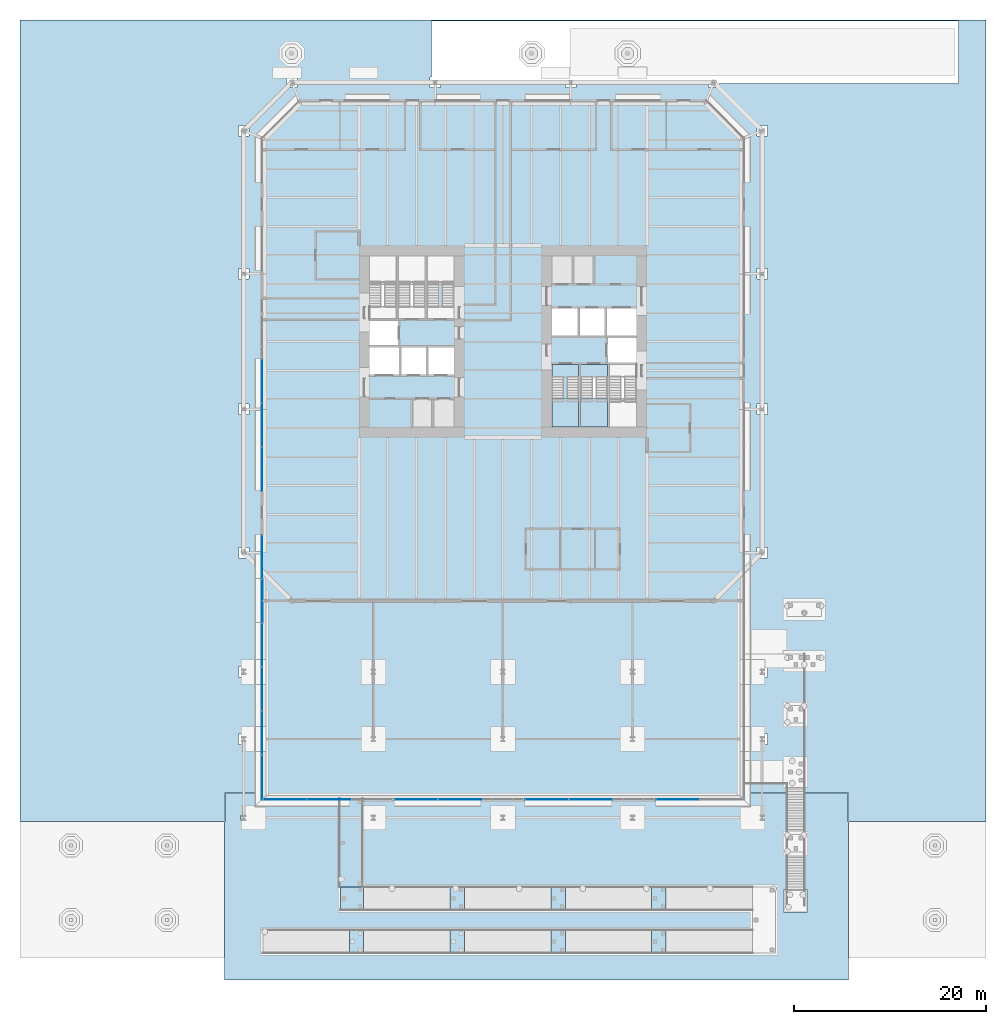
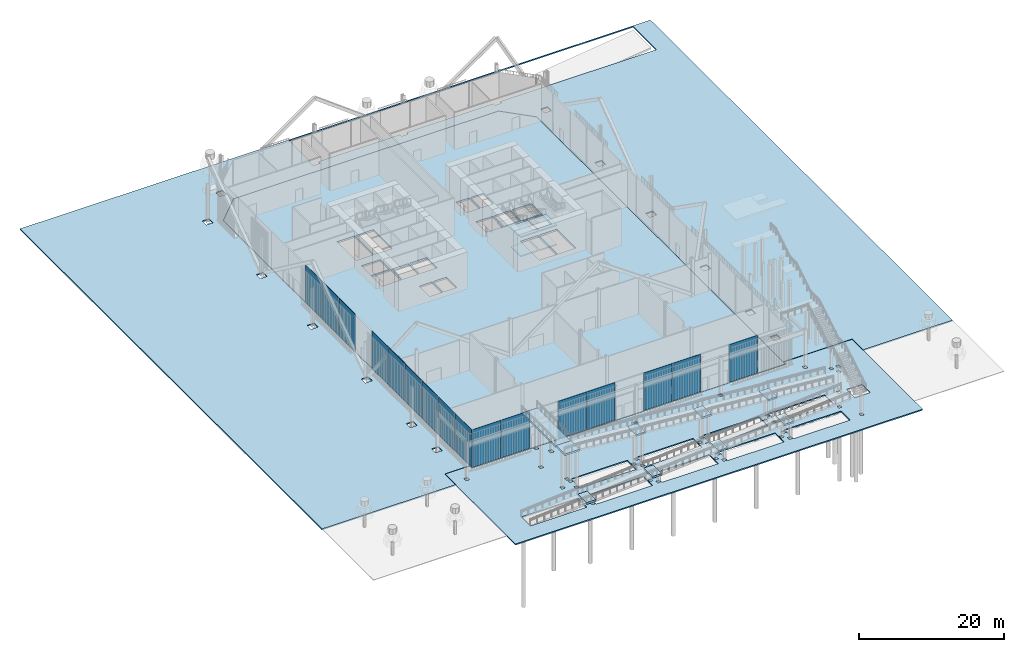
# One storey, part 12 of 28: 18 slabs, 16 plates, 5 elements without a shape of their own.
"""IFC4 building model written with IfcOpenShell, lengths in metres."""

from ifc_helpers import new_model, si_unit, direction, frame, origin, place, context, subcontext, project, spatial, polyline, outline, extrude, material, layer, layer_set, type_object, element, aggregate, save


model = new_model("IFC4")

# Units and contexts
model_context = context("Model", 3, precision=1e-05, world=origin(), true_north=direction((0.0, 1.0)))
body_context = subcontext(model_context, "Body", "Model", "MODEL_VIEW")
ifc_project = project(units=[si_unit("LENGTHUNIT", "METRE"), si_unit("AREAUNIT", "SQUARE_METRE"), si_unit("VOLUMEUNIT", "CUBIC_METRE"), si_unit("PLANEANGLEUNIT", "RADIAN"), si_unit("MASSUNIT", "GRAM", prefix="KILO")], contexts=[model_context])

# Site, building, storey
site_placement = place(None, origin())
site = spatial("IfcSite", under=ifc_project, at=site_placement, CompositionType="ELEMENT")
building_placement = place(site_placement, origin())
building = spatial("IfcBuilding", under=site, at=building_placement, Name="Millrace Tower", CompositionType="ELEMENT")
storey_placement = place(building_placement, origin())
storey = spatial("IfcBuildingStorey", under=building, at=storey_placement, Name="L01", CompositionType="ELEMENT", Elevation=0.0)

# Curtain wall, plate
ifc_material_1 = material(Name="Aluminium and glass", Category="aluminium")
ifc_layer_1 = layer(ifc_material_1, 0.14990234375)
ifc_layer_set_1 = layer_set([ifc_layer_1], Name="Aluminium and glass")
curtain_wall_type_1 = type_object("IfcCurtainWallType", Name="CW-5 truss and plant storey louvred infill", PredefinedType="NOTDEFINED", material=ifc_layer_set_1)
placement_1 = place(storey_placement, origin())
curtain_wall_1 = element("IfcCurtainWall", 1, at=placement_1, inside=storey, type_object=curtain_wall_type_1, Name="Curtain wall AW1-F06 L01 CW5", PredefinedType="NOTDEFINED")
ifc_material_2 = material(Name="Glass", Category="glass")
ifc_layer_2 = layer(ifc_material_2, 0.090087890625)
ifc_layer_set_2 = layer_set([ifc_layer_2], Name="Glass")
plate_type_1 = type_object("IfcPlateType", Name="CW-5 truss and plant storey louvred infill louvre cassette", PredefinedType="CURTAIN_PANEL", material=ifc_layer_set_2)
plate_1_placement = place(storey_placement, frame((0.0, 0.0, 0.139892578125)))
plate_1 = element("IfcPlate", 2, at=plate_1_placement, type_object=plate_type_1, Name="CW5 panel AW1-F06.11", PredefinedType="CURTAIN_PANEL", context=body_context, shape_type="SweptSolid", body=[
    extrude(outline(polyline([(-25.1201171875, -24.748291015625), (-25.1201171875, -29.2666015625), (-25.030029296875, -29.2666015625), (-25.030029296875, -24.748291015625), (-25.1201171875, -24.748291015625)])), origin(), (0.0, 0.0, 1.0), 6.360107421875),
])
aggregate(curtain_wall_1, [plate_1])

# Curtain wall, plates
ifc_material_3 = material(Name="Aluminium and glass", Category="aluminium")
ifc_layer_3 = layer(ifc_material_3, 0.199951171875)
ifc_layer_set_3 = layer_set([ifc_layer_3], Name="Aluminium and glass")
curtain_wall_type_2 = type_object("IfcCurtainWallType", Name="CW-6 lobby and cascade wing storefront", PredefinedType="NOTDEFINED", material=ifc_layer_set_3)
curtain_wall_2 = element("IfcCurtainWall", 3, at=placement_1, inside=storey, type_object=curtain_wall_type_2, Name="Curtain wall AW1-F01 L01", PredefinedType="NOTDEFINED")
ifc_material_4 = material(Name="Glass", Category="glass")
ifc_layer_4 = layer(ifc_material_4, 0.035888671875)
ifc_layer_set_4 = layer_set([ifc_layer_4], Name="Glass")
plate_type_2 = type_object("IfcPlateType", Name="CW-6 lobby and cascade wing storefront laminated glazed storefront panel", PredefinedType="CURTAIN_PANEL", material=ifc_layer_set_4)
placement_2 = place(storey_placement, frame((0.0, 0.0, 0.14990234375)))
plate_2 = element("IfcPlate", 4, at=placement_2, type_object=plate_type_2, Name="CW6 panel AW1-F01.1", PredefinedType="CURTAIN_PANEL", context=body_context, shape_type="SweptSolid", body=[
    extrude(outline(polyline([(-24.925048828125, -47.718017578125), (-20.45458984375, -47.718017578125), (-20.45458984375, -47.681884765625), (-24.925048828125, -47.681884765625), (-24.925048828125, -47.718017578125)])), origin(), (0.0, 0.0, 1.0), 6.35009765625),
])
plate_3 = element("IfcPlate", 5, at=placement_2, type_object=plate_type_2, Name="CW6 panel AW1-F01.2", PredefinedType="CURTAIN_PANEL", context=body_context, shape_type="SweptSolid", body=[
    extrude(outline(polyline([(-20.379638671875, -47.718017578125), (-15.9091796875, -47.718017578125), (-15.9091796875, -47.681884765625), (-20.379638671875, -47.681884765625), (-20.379638671875, -47.718017578125)])), origin(), (0.0, 0.0, 1.0), 6.35009765625),
])
plate_4 = element("IfcPlate", 6, at=placement_2, type_object=plate_type_2, Name="CW6 panel AW1-F01.4", PredefinedType="CURTAIN_PANEL", context=body_context, shape_type="SweptSolid", body=[
    extrude(outline(polyline([(-11.28857421875, -47.718017578125), (-6.818115234375, -47.718017578125), (-6.818115234375, -47.681884765625), (-11.28857421875, -47.681884765625), (-11.28857421875, -47.718017578125)])), origin(), (0.0, 0.0, 1.0), 6.35009765625),
])
plate_5 = element("IfcPlate", 7, at=placement_2, type_object=plate_type_2, Name="CW6 panel AW1-F01.5", PredefinedType="CURTAIN_PANEL", context=body_context, shape_type="SweptSolid", body=[
    extrude(outline(polyline([(-6.7431640625, -47.718017578125), (-2.272705078125, -47.718017578125), (-2.272705078125, -47.681884765625), (-6.7431640625, -47.681884765625), (-6.7431640625, -47.718017578125)])), origin(), (0.0, 0.0, 1.0), 6.35009765625),
])
plate_6 = element("IfcPlate", 8, at=placement_2, type_object=plate_type_2, Name="CW6 panel AW1-F01.7", PredefinedType="CURTAIN_PANEL", context=body_context, shape_type="SweptSolid", body=[
    extrude(outline(polyline([(2.34765625, -47.718017578125), (6.818115234375, -47.718017578125), (6.818115234375, -47.681884765625), (2.34765625, -47.681884765625), (2.34765625, -47.718017578125)])), origin(), (0.0, 0.0, 1.0), 6.35009765625),
])
plate_7 = element("IfcPlate", 9, at=placement_2, type_object=plate_type_2, Name="CW6 panel AW1-F01.8", PredefinedType="CURTAIN_PANEL", context=body_context, shape_type="SweptSolid", body=[
    extrude(outline(polyline([(6.89306640625, -47.718017578125), (11.363525390625, -47.718017578125), (11.363525390625, -47.681884765625), (6.89306640625, -47.681884765625), (6.89306640625, -47.718017578125)])), origin(), (0.0, 0.0, 1.0), 6.35009765625),
])
plate_8 = element("IfcPlate", 10, at=placement_2, type_object=plate_type_2, Name="CW6 panel AW1-F01.10", PredefinedType="CURTAIN_PANEL", context=body_context, shape_type="SweptSolid", body=[
    extrude(outline(polyline([(15.984130859375, -47.718017578125), (20.45458984375, -47.718017578125), (20.45458984375, -47.681884765625), (15.984130859375, -47.681884765625), (15.984130859375, -47.718017578125)])), origin(), (0.0, 0.0, 1.0), 6.35009765625),
])
aggregate(curtain_wall_2, [plate_2, plate_3, plate_4, plate_5, plate_6, plate_7, plate_8])

curtain_wall_3 = element("IfcCurtainWall", 11, at=placement_1, inside=storey, type_object=curtain_wall_type_2, Name="Curtain wall AW1-F06 L01", PredefinedType="NOTDEFINED")
plate_9 = element("IfcPlate", 12, at=placement_2, type_object=plate_type_2, Name="CW6 panel AW1-F06.6", PredefinedType="CURTAIN_PANEL", context=body_context, shape_type="SweptSolid", body=[
    extrude(outline(polyline([(-25.117919921875, -1.841552734375), (-25.117919921875, -6.35009765625), (-25.08203125, -6.35009765625), (-25.08203125, -1.841552734375), (-25.117919921875, -1.841552734375)])), origin(), (0.0, 0.0, 1.0), 6.35009765625),
])
plate_10 = element("IfcPlate", 13, at=placement_2, type_object=plate_type_2, Name="CW6 panel AW1-F06.7", PredefinedType="CURTAIN_PANEL", context=body_context, shape_type="SweptSolid", body=[
    extrude(outline(polyline([(-25.117919921875, -6.425048828125), (-25.117919921875, -10.933349609375), (-25.08203125, -10.933349609375), (-25.08203125, -6.425048828125), (-25.117919921875, -6.425048828125)])), origin(), (0.0, 0.0, 1.0), 6.35009765625),
])
plate_11 = element("IfcPlate", 14, at=placement_2, type_object=plate_type_2, Name="CW6 panel AW1-F06.8", PredefinedType="CURTAIN_PANEL", context=body_context, shape_type="SweptSolid", body=[
    extrude(outline(polyline([(-25.117919921875, -11.00830078125), (-25.117919921875, -15.5166015625), (-25.08203125, -15.5166015625), (-25.08203125, -11.00830078125), (-25.117919921875, -11.00830078125)])), origin(), (0.0, 0.0, 1.0), 6.35009765625),
])
plate_12 = element("IfcPlate", 15, at=placement_2, type_object=plate_type_2, Name="CW6 panel AW1-F06.10", PredefinedType="CURTAIN_PANEL", context=body_context, shape_type="SweptSolid", body=[
    extrude(outline(polyline([(-25.117919921875, -20.175048828125), (-25.117919921875, -24.683349609375), (-25.08203125, -24.683349609375), (-25.08203125, -20.175048828125), (-25.117919921875, -20.175048828125)])), origin(), (0.0, 0.0, 1.0), 6.35009765625),
])
plate_13 = element("IfcPlate", 16, at=placement_2, type_object=plate_type_2, Name="CW6 panel AW1-F06.12", PredefinedType="CURTAIN_PANEL", context=body_context, shape_type="SweptSolid", body=[
    extrude(outline(polyline([(-25.117919921875, -29.341552734375), (-25.117919921875, -33.85009765625), (-25.08203125, -33.85009765625), (-25.08203125, -29.341552734375), (-25.117919921875, -29.341552734375)])), origin(), (0.0, 0.0, 1.0), 6.35009765625),
])
plate_14 = element("IfcPlate", 17, at=placement_2, type_object=plate_type_2, Name="CW6 panel AW1-F06.13", PredefinedType="CURTAIN_PANEL", context=body_context, shape_type="SweptSolid", body=[
    extrude(outline(polyline([(-25.117919921875, -33.925048828125), (-25.117919921875, -38.433349609375), (-25.08203125, -38.433349609375), (-25.08203125, -33.925048828125), (-25.117919921875, -33.925048828125)])), origin(), (0.0, 0.0, 1.0), 6.35009765625),
])
plate_15 = element("IfcPlate", 18, at=placement_2, type_object=plate_type_2, Name="CW6 panel AW1-F06.14", PredefinedType="CURTAIN_PANEL", context=body_context, shape_type="SweptSolid", body=[
    extrude(outline(polyline([(-25.117919921875, -38.50830078125), (-25.117919921875, -43.0166015625), (-25.08203125, -43.0166015625), (-25.08203125, -38.50830078125), (-25.117919921875, -38.50830078125)])), origin(), (0.0, 0.0, 1.0), 6.35009765625),
])
plate_16 = element("IfcPlate", 19, at=placement_2, type_object=plate_type_2, Name="CW6 panel AW1-F06.15", PredefinedType="CURTAIN_PANEL", context=body_context, shape_type="SweptSolid", body=[
    extrude(outline(polyline([(-25.117919921875, -43.091552734375), (-25.117919921875, -47.718017578125), (-25.08203125, -47.681884765625), (-25.08203125, -43.091552734375), (-25.117919921875, -43.091552734375)])), origin(), (0.0, 0.0, 1.0), 6.35009765625),
])
aggregate(curtain_wall_3, [plate_9, plate_10, plate_11, plate_12, plate_13, plate_14, plate_15, plate_16])

# Slabs
ifc_material_5 = material(Name="Concrete C35 on steel deck", Category="concrete")
ifc_layer_5 = layer(ifc_material_5, 0.300048828125)
ifc_layer_set_5 = layer_set([ifc_layer_5], Name="Concrete C35 on steel deck")
slab_type_1 = type_object("IfcSlabType", Name="Composite floor slab 300 mm", PredefinedType="FLOOR", material=ifc_layer_set_5)
slab_1_placement = place(storey_placement, frame((0.0, 0.0, -0.300048828125)))
element("IfcSlab", 20, at=slab_1_placement, inside=storey, type_object=slab_type_1, Name="SL-A-L01-S1", PredefinedType="FLOOR", context=body_context, shape_type="SweptSolid", body=[
    extrude(outline(polyline([(-25.0, -47.60009765625), (25.0, -47.60009765625), (25.0, 21.14990234375), (21.14990234375, 25.0), (-21.14990234375, 25.0), (-25.0, 21.14990234375), (-25.0, -47.60009765625)]), holes=[polyline([(-9.39990234375, -8.89990234375), (-7.39990234375, -8.89990234375), (-7.39990234375, -6.050048828125), (-9.39990234375, -6.050048828125), (-9.39990234375, -8.89990234375)]), polyline([(-7.199951171875, -8.89990234375), (-5.10009765625, -8.89990234375), (-5.10009765625, -6.050048828125), (-7.199951171875, -6.050048828125), (-7.199951171875, -8.89990234375)]), polyline([(-13.89990234375, -3.449951171875), (-10.800048828125, -3.449951171875), (-10.800048828125, -0.60009765625), (-13.89990234375, -0.60009765625), (-13.89990234375, -3.449951171875)]), polyline([(-10.60009765625, -3.449951171875), (-8.0, -3.449951171875), (-8.0, -0.60009765625), (-10.60009765625, -0.60009765625), (-10.60009765625, -3.449951171875)]), polyline([(-7.800048828125, -3.449951171875), (-5.10009765625, -3.449951171875), (-5.10009765625, -0.60009765625), (-7.800048828125, -0.60009765625), (-7.800048828125, -3.449951171875)]), polyline([(-13.89990234375, -0.39990234375), (-10.89990234375, -0.39990234375), (-10.89990234375, 2.179931640625), (-13.89990234375, 2.179931640625), (-13.89990234375, -0.39990234375)]), polyline([(-13.89990234375, 3.679931640625), (-11.10009765625, 3.679931640625), (-11.10009765625, 8.89990234375), (-13.89990234375, 8.89990234375), (-13.89990234375, 3.679931640625)]), polyline([(-10.89990234375, 3.679931640625), (-8.10009765625, 3.679931640625), (-8.10009765625, 8.89990234375), (-10.89990234375, 8.89990234375), (-10.89990234375, 3.679931640625)]), polyline([(7.39990234375, 6.050048828125), (9.39990234375, 6.050048828125), (9.39990234375, 8.89990234375), (7.39990234375, 8.89990234375), (7.39990234375, 6.050048828125)]), polyline([(5.10009765625, 6.050048828125), (7.199951171875, 6.050048828125), (7.199951171875, 8.89990234375), (5.10009765625, 8.89990234375), (5.10009765625, 6.050048828125)]), polyline([(10.800048828125, 0.60009765625), (13.89990234375, 0.60009765625), (13.89990234375, 3.449951171875), (10.800048828125, 3.449951171875), (10.800048828125, 0.60009765625)]), polyline([(8.0, 0.60009765625), (10.60009765625, 0.60009765625), (10.60009765625, 3.449951171875), (8.0, 3.449951171875), (8.0, 0.60009765625)]), polyline([(5.10009765625, 0.60009765625), (7.800048828125, 0.60009765625), (7.800048828125, 3.449951171875), (5.10009765625, 3.449951171875), (5.10009765625, 0.60009765625)]), polyline([(10.89990234375, -2.179931640625), (13.89990234375, -2.179931640625), (13.89990234375, 0.39990234375), (10.89990234375, 0.39990234375), (10.89990234375, -2.179931640625)]), polyline([(11.10009765625, -8.89990234375), (13.89990234375, -8.89990234375), (13.89990234375, -3.679931640625), (11.10009765625, -3.679931640625), (11.10009765625, -8.89990234375)]), polyline([(8.10009765625, -8.89990234375), (10.89990234375, -8.89990234375), (10.89990234375, -3.679931640625), (8.10009765625, -3.679931640625), (8.10009765625, -8.89990234375)])]), origin(), (0.0, 0.0, 1.0), 0.300048828125),
])
ifc_material_6 = material(Name="Granite paving", Category="masonry")
ifc_layer_6 = layer(ifc_material_6, 0.199951171875)
ifc_layer_set_6 = layer_set([ifc_layer_6], Name="Granite paving")
slab_type_2 = type_object("IfcSlabType", Name="Plaza paving 200 mm", PredefinedType="USERDEFINED", material=ifc_layer_set_6)
placement_3 = place(storey_placement, frame((0.0, 0.0, -0.199951171875)))
element("IfcSlab", 21, at=placement_3, inside=storey, type_object=slab_type_2, Name="Plaza paving 1", ObjectType="PAVING", PredefinedType="USERDEFINED", context=body_context, shape_type="SweptSolid", body=[
    extrude(outline(polyline([(-50.300048828125, 33.5), (50.300048828125, 33.5), (50.300048828125, -50.0), (36.0, -50.0), (36.0, -47.0), (25.0, -47.0), (25.0, 21.14990234375), (21.14990234375, 25.0), (-21.14990234375, 25.0), (-25.0, 21.14990234375), (-25.0, -47.0), (-29.0, -47.0), (-29.0, -50.0), (-50.300048828125, -50.0), (-50.300048828125, 33.5)]), holes=[polyline([(-26.449951171875, -41.949951171875), (-26.449951171875, -40.85009765625), (-27.550048828125, -40.85009765625), (-27.550048828125, -41.949951171875), (-26.449951171875, -41.949951171875)]), polyline([(-27.550048828125, -34.949951171875), (-26.449951171875, -34.949951171875), (-26.449951171875, -33.85009765625), (-27.550048828125, -33.85009765625), (-27.550048828125, -34.949951171875)]), polyline([(-27.550048828125, -22.5283203125), (-26.449951171875, -22.5283203125), (-26.449951171875, -21.428466796875), (-27.550048828125, -21.428466796875), (-27.550048828125, -22.5283203125)]), polyline([(-27.550048828125, -7.60009765625), (-26.449951171875, -7.60009765625), (-26.449951171875, -6.5), (-27.550048828125, -6.5), (-27.550048828125, -7.60009765625)]), polyline([(-27.550048828125, 6.5), (-26.449951171875, 6.5), (-26.449951171875, 7.60009765625), (-27.550048828125, 7.60009765625), (-27.550048828125, 6.5)]), polyline([(-27.550048828125, 21.428466796875), (-26.449951171875, 21.428466796875), (-26.449951171875, 22.5283203125), (-27.550048828125, 22.5283203125), (-27.550048828125, 21.428466796875)]), polyline([(-22.5283203125, 26.449951171875), (-21.428466796875, 26.449951171875), (-21.428466796875, 27.550048828125), (-22.5283203125, 27.550048828125), (-22.5283203125, 26.449951171875)]), polyline([(6.5, 26.449951171875), (7.60009765625, 26.449951171875), (7.60009765625, 26.89990234375), (21.428466796875, 26.89990234375), (21.428466796875, 26.449951171875), (22.5283203125, 26.449951171875), (22.5283203125, 26.89990234375), (47.449951171875, 26.89990234375), (47.449951171875, 33.39990234375), (-7.449951171875, 33.39990234375), (-7.449951171875, 27.550048828125), (-7.60009765625, 27.550048828125), (-7.60009765625, 26.449951171875), (-6.5, 26.449951171875), (-6.5, 26.89990234375), (6.5, 26.89990234375), (6.5, 26.449951171875)]), polyline([(26.449951171875, -41.949951171875), (27.550048828125, -41.949951171875), (27.550048828125, -40.85009765625), (26.449951171875, -40.85009765625), (26.449951171875, -41.949951171875)]), polyline([(27.550048828125, -34.949951171875), (27.550048828125, -33.85009765625), (26.449951171875, -33.85009765625), (26.449951171875, -34.949951171875), (27.550048828125, -34.949951171875)]), polyline([(27.550048828125, -21.428466796875), (26.449951171875, -21.428466796875), (26.449951171875, -22.5283203125), (27.550048828125, -22.5283203125), (27.550048828125, -21.428466796875)]), polyline([(26.449951171875, -7.60009765625), (27.550048828125, -7.60009765625), (27.550048828125, -6.5), (26.449951171875, -6.5), (26.449951171875, -7.60009765625)]), polyline([(26.449951171875, 6.5), (27.550048828125, 6.5), (27.550048828125, 7.60009765625), (26.449951171875, 7.60009765625), (26.449951171875, 6.5)]), polyline([(26.449951171875, 21.428466796875), (27.550048828125, 21.428466796875), (27.550048828125, 22.5283203125), (26.449951171875, 22.5283203125), (26.449951171875, 21.428466796875)])]), origin(), (0.0, 0.0, 1.0), 0.199951171875),
])
element("IfcSlab", 22, at=placement_3, inside=storey, type_object=slab_type_2, Name="Garden court paving 1", ObjectType="PAVING", PredefinedType="USERDEFINED", context=body_context, shape_type="SweptSolid", body=[
    extrude(outline(polyline([(-25.050048828125, -47.64990234375), (25.050048828125, -47.64990234375), (25.050048828125, -47.050048828125), (35.949951171875, -47.050048828125), (35.949951171875, -50.050048828125), (36.0, -50.050048828125), (36.0, -66.5), (-29.0, -66.5), (-29.0, -50.050048828125), (-28.949951171875, -50.050048828125), (-28.949951171875, -47.050048828125), (-25.050048828125, -47.050048828125), (-25.050048828125, -47.64990234375)]), holes=[polyline([(-4.10009765625, -63.60009765625), (-4.10009765625, -63.10009765625), (-4.60009765625, -63.10009765625), (-4.60009765625, -63.60009765625), (-4.10009765625, -63.60009765625)]), polyline([(-15.10009765625, -63.60009765625), (-14.60009765625, -63.60009765625), (-14.60009765625, -63.10009765625), (-15.10009765625, -63.10009765625), (-15.10009765625, -63.60009765625)]), polyline([(-16.0, -61.25), (-25.0, -61.25), (-25.0, -63.75), (-16.0, -63.75), (-16.0, -61.25)]), polyline([(-4.89990234375, -62.75), (-4.89990234375, -62.25), (-5.39990234375, -62.25), (-5.39990234375, -62.75), (-4.89990234375, -62.75)]), polyline([(-5.5, -61.25), (-14.5, -61.25), (-14.5, -63.75), (-5.5, -63.75), (-5.5, -61.25)]), polyline([(-15.89990234375, -62.75), (-15.39990234375, -62.75), (-15.39990234375, -62.25), (-15.89990234375, -62.25), (-15.89990234375, -62.75)]), polyline([(-14.60009765625, -61.89990234375), (-14.60009765625, -61.39990234375), (-15.10009765625, -61.39990234375), (-15.10009765625, -61.89990234375), (-14.60009765625, -61.89990234375)]), polyline([(-15.10009765625, -59.10009765625), (-14.60009765625, -59.10009765625), (-14.60009765625, -58.60009765625), (-15.10009765625, -58.60009765625), (-15.10009765625, -59.10009765625)]), polyline([(-14.5, -59.25), (-5.5, -59.25), (-5.5, -56.75), (-14.5, -56.75), (-14.5, -59.25)]), polyline([(-16.300048828125, -58.25), (-16.300048828125, -57.75), (-16.800048828125, -57.75), (-16.800048828125, -58.25), (-16.300048828125, -58.25)]), polyline([(-5.39990234375, -58.25), (-4.89990234375, -58.25), (-4.89990234375, -57.75), (-5.39990234375, -57.75), (-5.39990234375, -58.25)]), polyline([(-15.10009765625, -57.39990234375), (-14.60009765625, -57.39990234375), (-14.60009765625, -56.89990234375), (-15.10009765625, -56.89990234375), (-15.10009765625, -57.39990234375)]), polyline([(-14.699951171875, -56.699951171875), (-14.699951171875, -56.199951171875), (-15.199951171875, -56.199951171875), (-15.199951171875, -56.699951171875), (-14.699951171875, -56.699951171875)]), polyline([(-16.89990234375, -52.449951171875), (-16.39990234375, -52.449951171875), (-16.39990234375, -51.949951171875), (-16.89990234375, -51.949951171875), (-16.89990234375, -52.449951171875)]), polyline([(-13.765869140625, -49.89892578125), (-13.234130859375, -49.89892578125), (-13.234130859375, -49.301025390625), (-13.765869140625, -49.301025390625), (-13.765869140625, -49.89892578125)]), polyline([(-26.734130859375, -49.89892578125), (-26.734130859375, -49.301025390625), (-27.265869140625, -49.301025390625), (-27.265869140625, -49.89892578125), (-26.734130859375, -49.89892578125)]), polyline([(-15.199951171875, -48.199951171875), (-14.699951171875, -48.199951171875), (-14.699951171875, -47.699951171875), (-15.199951171875, -47.699951171875), (-15.199951171875, -48.199951171875)]), polyline([(5.89990234375, -63.60009765625), (6.39990234375, -63.60009765625), (6.39990234375, -63.10009765625), (5.89990234375, -63.10009765625), (5.89990234375, -63.60009765625)]), polyline([(6.5, -61.25), (6.5, -63.75), (15.5, -63.75), (15.5, -61.25), (6.5, -61.25)]), polyline([(5.0, -61.25), (-4.0, -61.25), (-4.0, -63.75), (5.0, -63.75), (5.0, -61.25)]), polyline([(5.10009765625, -62.75), (5.60009765625, -62.75), (5.60009765625, -62.25), (5.10009765625, -62.25), (5.10009765625, -62.75)]), polyline([(-4.10009765625, -61.89990234375), (-4.10009765625, -61.39990234375), (-4.60009765625, -61.39990234375), (-4.60009765625, -61.89990234375), (-4.10009765625, -61.89990234375)]), polyline([(5.89990234375, -61.89990234375), (6.39990234375, -61.89990234375), (6.39990234375, -61.39990234375), (5.89990234375, -61.39990234375), (5.89990234375, -61.89990234375)]), polyline([(-4.60009765625, -59.10009765625), (-4.10009765625, -59.10009765625), (-4.10009765625, -58.60009765625), (-4.60009765625, -58.60009765625), (-4.60009765625, -59.10009765625)]), polyline([(6.39990234375, -59.10009765625), (6.39990234375, -58.60009765625), (5.89990234375, -58.60009765625), (5.89990234375, -59.10009765625), (6.39990234375, -59.10009765625)]), polyline([(15.60009765625, -58.25), (16.10009765625, -58.25), (16.10009765625, -57.75), (15.60009765625, -57.75), (15.60009765625, -58.25)]), polyline([(6.5, -59.25), (15.5, -59.25), (15.5, -56.75), (6.5, -56.75), (6.5, -59.25)]), polyline([(5.60009765625, -58.25), (5.60009765625, -57.75), (5.10009765625, -57.75), (5.10009765625, -58.25), (5.60009765625, -58.25)]), polyline([(-4.0, -59.25), (5.0, -59.25), (5.0, -56.75), (-4.0, -56.75), (-4.0, -59.25)]), polyline([(5.89990234375, -57.39990234375), (6.39990234375, -57.39990234375), (6.39990234375, -56.89990234375), (5.89990234375, -56.89990234375), (5.89990234375, -57.39990234375)]), polyline([(-4.10009765625, -57.39990234375), (-4.10009765625, -56.89990234375), (-4.60009765625, -56.89990234375), (-4.60009765625, -57.39990234375), (-4.10009765625, -57.39990234375)]), polyline([(-0.265869140625, -49.89892578125), (0.265869140625, -49.89892578125), (0.265869140625, -49.301025390625), (-0.265869140625, -49.301025390625), (-0.265869140625, -49.89892578125)]), polyline([(13.234130859375, -49.89892578125), (13.765869140625, -49.89892578125), (13.765869140625, -49.301025390625), (13.234130859375, -49.301025390625), (13.234130859375, -49.89892578125)]), polyline([(16.39990234375, -63.60009765625), (16.89990234375, -63.60009765625), (16.89990234375, -63.10009765625), (16.39990234375, -63.10009765625), (16.39990234375, -63.60009765625)]), polyline([(27.800048828125, -63.60009765625), (28.300048828125, -63.60009765625), (28.300048828125, -63.10009765625), (27.800048828125, -63.10009765625), (27.800048828125, -63.60009765625)]), polyline([(16.10009765625, -62.75), (16.10009765625, -62.25), (15.60009765625, -62.25), (15.60009765625, -62.75), (16.10009765625, -62.75)]), polyline([(26.0, -61.25), (17.0, -61.25), (17.0, -63.75), (26.0, -63.75), (26.0, -61.25)]), polyline([(16.39990234375, -61.89990234375), (16.89990234375, -61.89990234375), (16.89990234375, -61.39990234375), (16.39990234375, -61.39990234375), (16.39990234375, -61.89990234375)]), polyline([(26.60009765625, -60.5), (26.60009765625, -60.0), (26.10009765625, -60.0), (26.10009765625, -60.5), (26.60009765625, -60.5)]), polyline([(16.39990234375, -59.10009765625), (16.89990234375, -59.10009765625), (16.89990234375, -58.60009765625), (16.39990234375, -58.60009765625), (16.39990234375, -59.10009765625)]), polyline([(31.75, -59.409912109375), (31.75, -57.110107421875), (29.25, -57.110107421875), (29.25, -59.409912109375), (31.75, -59.409912109375)]), polyline([(26.0, -59.25), (26.0, -56.75), (17.0, -56.75), (17.0, -59.25), (26.0, -59.25)]), polyline([(16.39990234375, -57.39990234375), (16.89990234375, -57.39990234375), (16.89990234375, -56.89990234375), (16.39990234375, -56.89990234375), (16.39990234375, -57.39990234375)]), polyline([(27.800048828125, -57.39990234375), (28.300048828125, -57.39990234375), (28.300048828125, -56.89990234375), (27.800048828125, -56.89990234375), (27.800048828125, -57.39990234375)]), polyline([(30.25, -53.06005859375), (30.75, -53.06005859375), (30.75, -52.56005859375), (30.25, -52.56005859375), (30.25, -53.06005859375)]), polyline([(29.699951171875, -51.9599609375), (30.199951171875, -51.9599609375), (30.199951171875, -51.4599609375), (29.699951171875, -51.4599609375), (29.699951171875, -51.9599609375)]), polyline([(30.800048828125, -51.9599609375), (31.300048828125, -51.9599609375), (31.300048828125, -51.4599609375), (30.800048828125, -51.4599609375), (30.800048828125, -51.9599609375)]), polyline([(26.734130859375, -49.89892578125), (27.265869140625, -49.89892578125), (27.265869140625, -49.301025390625), (26.734130859375, -49.301025390625), (26.734130859375, -49.89892578125)])]), origin(), (0.0, 0.0, 1.0), 0.199951171875),
])
ifc_material_7 = material(Name="Concrete C40", Category="concrete")
ifc_layer_7 = layer(ifc_material_7, 0.300048828125)
ifc_layer_set_7 = layer_set([ifc_layer_7], Name="Concrete C40")
slab_type_3 = type_object("IfcSlabType", Name="Ramp landing slab", PredefinedType="LANDING", material=ifc_layer_set_7)
slab_4_placement = place(storey_placement, frame((0.0, 0.0, 0.422119140625)))
element("IfcSlab", 23, at=slab_4_placement, inside=storey, type_object=slab_type_3, Name="Ramp landing slab 1", PredefinedType="LANDING", context=body_context, shape_type="SweptSolid", body=[
    extrude(outline(polyline([(-16.0, -63.699951171875), (-14.5, -63.699951171875), (-14.5, -61.300048828125), (-16.0, -61.300048828125), (-16.0, -63.699951171875)])), origin(), (0.0, 0.0, 1.0), 0.300048828125),
])
slab_5_placement = place(storey_placement, frame((0.0, 0.0, 1.14453125)))
element("IfcSlab", 24, at=slab_5_placement, inside=storey, type_object=slab_type_3, Name="Ramp landing slab 2", PredefinedType="LANDING", context=body_context, shape_type="SweptSolid", body=[
    extrude(outline(polyline([(-5.5, -63.699951171875), (-4.0, -63.699951171875), (-4.0, -61.300048828125), (-5.5, -61.300048828125), (-5.5, -63.699951171875)])), origin(), (0.0, 0.0, 1.0), 0.2998046875),
])
slab_6_placement = place(storey_placement, frame((0.0, 0.0, 1.86669921875)))
element("IfcSlab", 25, at=slab_6_placement, inside=storey, type_object=slab_type_3, Name="Ramp landing slab 3", PredefinedType="LANDING", context=body_context, shape_type="SweptSolid", body=[
    extrude(outline(polyline([(5.0, -63.699951171875), (6.5, -63.699951171875), (6.5, -61.300048828125), (5.0, -61.300048828125), (5.0, -63.699951171875)])), origin(), (0.0, 0.0, 1.0), 0.300048828125),
])
slab_7_placement = place(storey_placement, frame((0.0, 0.0, 2.5888671875)))
element("IfcSlab", 26, at=slab_7_placement, inside=storey, type_object=slab_type_3, Name="Ramp landing slab 4", PredefinedType="LANDING", context=body_context, shape_type="SweptSolid", body=[
    extrude(outline(polyline([(15.5, -63.699951171875), (17.0, -63.699951171875), (17.0, -61.300048828125), (15.5, -61.300048828125), (15.5, -63.699951171875)])), origin(), (0.0, 0.0, 1.0), 0.300048828125),
])
slab_8_placement = place(storey_placement, frame((0.0, 0.0, 4.033447265625)))
element("IfcSlab", 27, at=slab_8_placement, inside=storey, type_object=slab_type_3, Name="Ramp landing slab 6", PredefinedType="LANDING", context=body_context, shape_type="SweptSolid", body=[
    extrude(outline(polyline([(15.5, -59.199951171875), (17.0, -59.199951171875), (17.0, -56.800048828125), (15.5, -56.800048828125), (15.5, -59.199951171875)])), origin(), (0.0, 0.0, 1.0), 0.2998046875),
])
slab_9_placement = place(storey_placement, frame((0.0, 0.0, 4.755615234375)))
element("IfcSlab", 28, at=slab_9_placement, inside=storey, type_object=slab_type_3, Name="Ramp landing slab 7", PredefinedType="LANDING", context=body_context, shape_type="SweptSolid", body=[
    extrude(outline(polyline([(5.0, -59.199951171875), (6.5, -59.199951171875), (6.5, -56.800048828125), (5.0, -56.800048828125), (5.0, -59.199951171875)])), origin(), (0.0, 0.0, 1.0), 0.300048828125),
])
slab_10_placement = place(storey_placement, frame((0.0, 0.0, 5.477783203125)))
element("IfcSlab", 29, at=slab_10_placement, inside=storey, type_object=slab_type_3, Name="Ramp landing slab 8", PredefinedType="LANDING", context=body_context, shape_type="SweptSolid", body=[
    extrude(outline(polyline([(-5.5, -59.199951171875), (-4.0, -59.199951171875), (-4.0, -56.800048828125), (-5.5, -56.800048828125), (-5.5, -59.199951171875)])), origin(), (0.0, 0.0, 1.0), 0.300048828125),
])
placement_4 = place(storey_placement, frame((0.0, 0.0, 6.199951171875)))
element("IfcSlab", 30, at=placement_4, inside=storey, type_object=slab_type_3, Name="Ramp landing slab 9", PredefinedType="LANDING", context=body_context, shape_type="SweptSolid", body=[
    extrude(outline(polyline([(-16.89990234375, -59.199951171875), (-14.5, -59.199951171875), (-14.5, -56.800048828125), (-16.89990234375, -56.800048828125), (-16.89990234375, -59.199951171875)])), origin(), (0.0, 0.0, 1.0), 0.300048828125),
])
element("IfcSlab", 31, at=placement_4, inside=storey, type_object=slab_type_3, Name="Ramp causeway slab to the cascade terrace", PredefinedType="LANDING", context=body_context, shape_type="SweptSolid", body=[
    extrude(outline(polyline([(-17.0, -56.800048828125), (-14.60009765625, -56.800048828125), (-14.60009765625, -47.60009765625), (-17.0, -47.60009765625), (-17.0, -56.800048828125)])), origin(), (0.0, 0.0, 1.0), 0.300048828125),
])

# Stair, slabs
ifc_material_8 = material(Name="Concrete C35", Category="concrete")
stair_type = type_object("IfcStairType", Name="Exit stair", PredefinedType="HALF_TURN_STAIR", material=ifc_material_8)
stair_1 = element("IfcStair", 32, at=placement_1, inside=storey, type_object=stair_type, Name="Stair 2 E L01", PredefinedType="HALF_TURN_STAIR")
ifc_material_9 = material(Name="Concrete C40", Category="concrete")
ifc_layer_8 = layer(ifc_material_9, 0.199951171875)
ifc_layer_set_8 = layer_set([ifc_layer_8], Name="Concrete C40")
slab_type_4 = type_object("IfcSlabType", Name="Stair landing", PredefinedType="LANDING", material=ifc_layer_set_8)
placement_5 = place(storey_placement, frame((0.0, 0.0, 1.510498046875)))
slab_13 = element("IfcSlab", 33, at=placement_5, type_object=slab_type_4, Name="ST12 landing 1", PredefinedType="LANDING", context=body_context, shape_type="SweptSolid", body=[
    extrude(outline(polyline([(8.10009765625, -8.89990234375), (10.89990234375, -8.89990234375), (10.89990234375, -6.199951171875), (8.10009765625, -6.199951171875), (8.10009765625, -8.89990234375)])), origin(), (0.0, 0.0, 1.0), 0.199951171875),
])
placement_6 = place(storey_placement, frame((0.0, 0.0, 3.22119140625)))
slab_14 = element("IfcSlab", 34, at=placement_6, type_object=slab_type_4, Name="ST12 landing 2", PredefinedType="LANDING", context=body_context, shape_type="SweptSolid", body=[
    extrude(outline(polyline([(8.10009765625, -3.679931640625), (10.89990234375, -3.679931640625), (10.89990234375, -2.3798828125), (8.10009765625, -2.3798828125), (8.10009765625, -3.679931640625)])), origin(), (0.0, 0.0, 1.0), 0.199951171875),
])
placement_7 = place(storey_placement, frame((0.0, 0.0, 4.760498046875)))
slab_15 = element("IfcSlab", 35, at=placement_7, type_object=slab_type_4, Name="ST12 landing 3", PredefinedType="LANDING", context=body_context, shape_type="SweptSolid", body=[
    extrude(outline(polyline([(8.10009765625, -8.89990234375), (10.89990234375, -8.89990234375), (10.89990234375, -5.919921875), (8.10009765625, -5.919921875), (8.10009765625, -8.89990234375)])), origin(), (0.0, 0.0, 1.0), 0.199951171875),
])
aggregate(stair_1, [slab_13, slab_14, slab_15])

stair_2 = element("IfcStair", 36, at=placement_1, inside=storey, type_object=stair_type, Name="Stair 3 E L01", PredefinedType="HALF_TURN_STAIR")
slab_16 = element("IfcSlab", 37, at=placement_5, type_object=slab_type_4, Name="ST12 landing 1", PredefinedType="LANDING", context=body_context, shape_type="SweptSolid", body=[
    extrude(outline(polyline([(5.10009765625, -8.89990234375), (7.89990234375, -8.89990234375), (7.89990234375, -6.199951171875), (5.10009765625, -6.199951171875), (5.10009765625, -8.89990234375)])), origin(), (0.0, 0.0, 1.0), 0.199951171875),
])
slab_17 = element("IfcSlab", 38, at=placement_6, type_object=slab_type_4, Name="ST12 landing 2", PredefinedType="LANDING", context=body_context, shape_type="SweptSolid", body=[
    extrude(outline(polyline([(5.10009765625, -3.679931640625), (7.89990234375, -3.679931640625), (7.89990234375, -2.3798828125), (5.10009765625, -2.3798828125), (5.10009765625, -3.679931640625)])), origin(), (0.0, 0.0, 1.0), 0.199951171875),
])
slab_18 = element("IfcSlab", 39, at=placement_7, type_object=slab_type_4, Name="ST12 landing 3", PredefinedType="LANDING", context=body_context, shape_type="SweptSolid", body=[
    extrude(outline(polyline([(5.10009765625, -8.89990234375), (7.89990234375, -8.89990234375), (7.89990234375, -5.919921875), (5.10009765625, -5.919921875), (5.10009765625, -8.89990234375)])), origin(), (0.0, 0.0, 1.0), 0.199951171875),
])
aggregate(stair_2, [slab_16, slab_17, slab_18])

save(model, "model.ifc")
